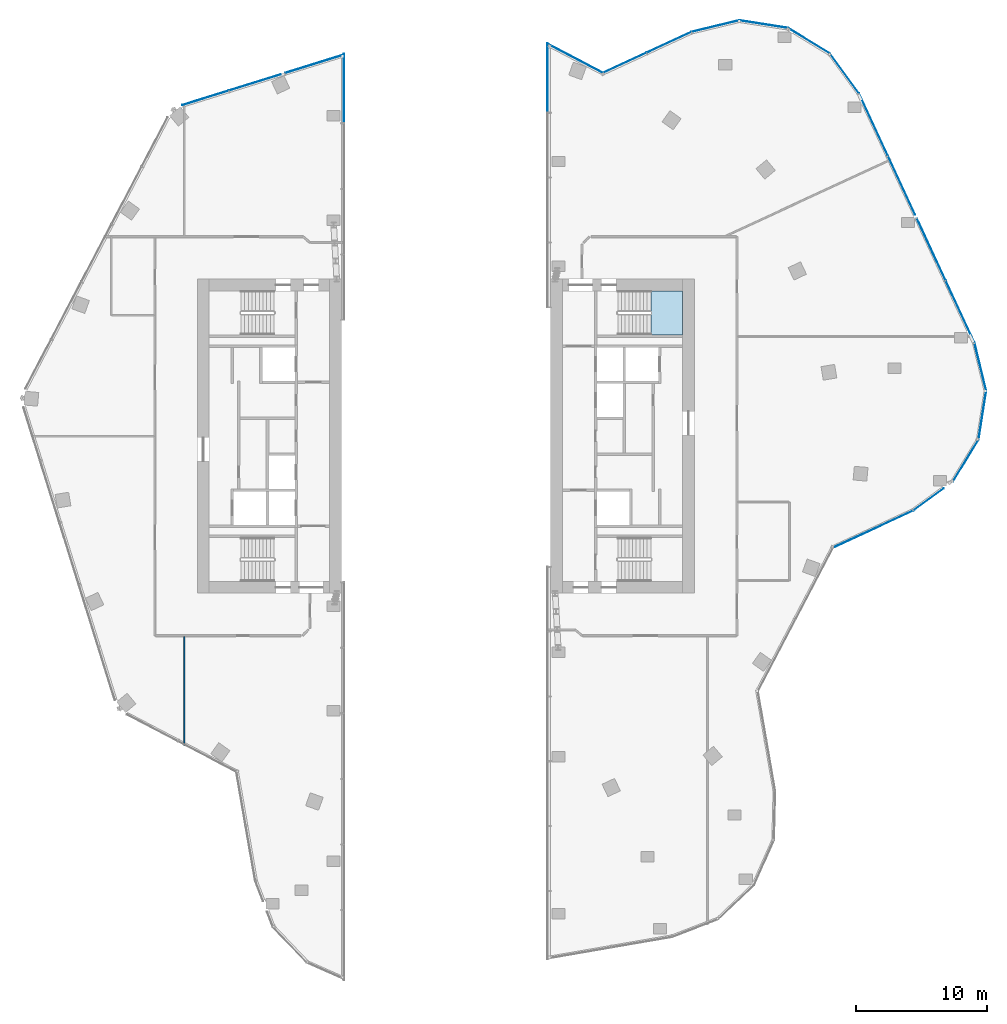
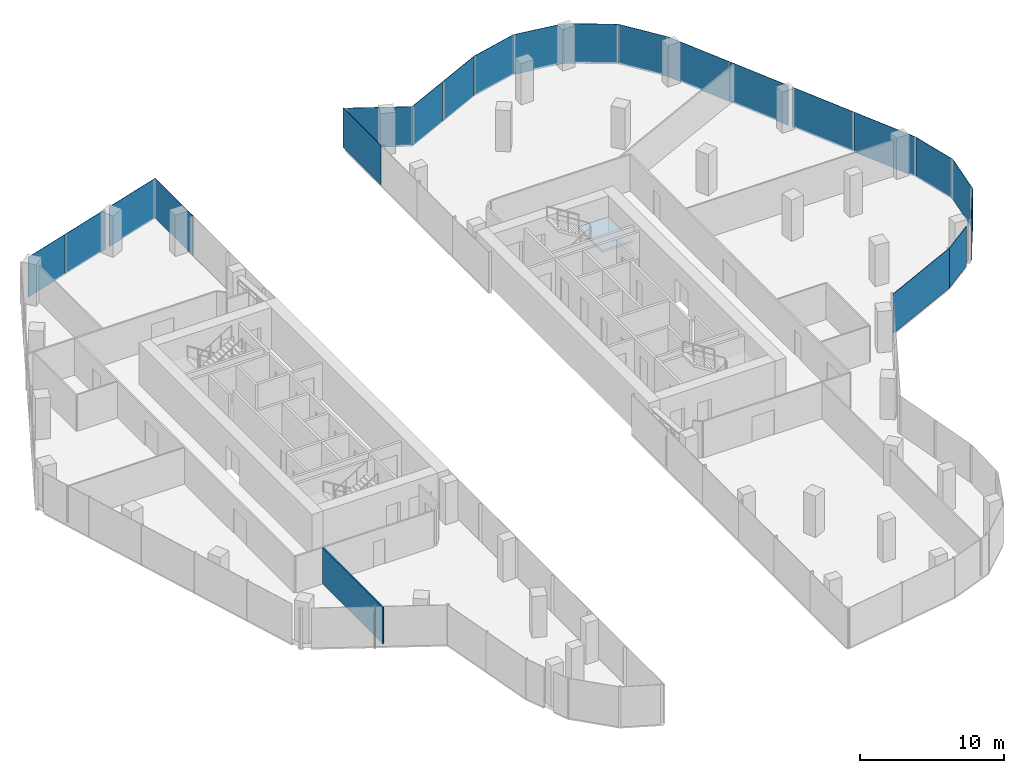
# One storey, part 17 of 23: 21 plates, 1 slab, 1 wall, 16 elements without a shape of their own.
"""IFC4 building model written with IfcOpenShell, lengths in metres."""

from ifc_helpers import new_model, si_unit, direction, frame, frame_2d, origin, origin_2d, place, context, subcontext, project, spatial, polyline, rectangle, outline, extrude, material, layer, layer_set, type_object, element, aggregate, save


model = new_model("IFC4")

# Units and contexts
model_context = context("Model", 3, precision=1e-05, world=origin(), true_north=direction((0.0, 1.0)))
body_context = subcontext(model_context, "Body", "Model", "MODEL_VIEW")
ifc_project = project(units=[si_unit("LENGTHUNIT", "METRE"), si_unit("AREAUNIT", "SQUARE_METRE"), si_unit("VOLUMEUNIT", "CUBIC_METRE"), si_unit("PLANEANGLEUNIT", "RADIAN"), si_unit("MASSUNIT", "GRAM", prefix="KILO")], contexts=[model_context])

# Site, building, storey
site_placement = place(None, origin())
site = spatial("IfcSite", under=ifc_project, at=site_placement, CompositionType="ELEMENT")
building_placement = place(site_placement, origin())
building = spatial("IfcBuilding", under=site, at=building_placement, Name="Orlundy Tower", CompositionType="ELEMENT")
storey_placement = place(building_placement, frame((0.0, 0.0, 257.0)))
storey = spatial("IfcBuildingStorey", under=building, at=storey_placement, Name="L68", CompositionType="ELEMENT", Elevation=257.0)

# Curtain wall, plates
ifc_material_1 = material(Name="Aluminium bronze anodised", Category="aluminium")
curtain_wall_type = type_object("IfcCurtainWallType", Name="CW1 wall", PredefinedType="NOTDEFINED", material=ifc_material_1)
curtain_wall_1_placement = place(storey_placement, origin())
curtain_wall_1 = element("IfcCurtainWall", 1, at=curtain_wall_1_placement, inside=storey, type_object=curtain_wall_type, Name="CW1 run 03", PredefinedType="NOTDEFINED")
ifc_material_2 = material(Name="Tinted glass", Category="glass")
ifc_layer_1 = layer(ifc_material_2, 0.031982421875)
ifc_layer_set_1 = layer_set([ifc_layer_1], Name="CW1 glass panel 32")
plate_type_1 = type_object("IfcPlateType", Name="CW1 glass panel 32", PredefinedType="CURTAIN_PANEL", material=ifc_layer_set_1)
plate_1_placement = place(storey_placement, frame((-18.385009765625, 25.860595703125, -0.280029296875), z_axis=(0.0, 0.0, 1.0), x_axis=(0.954586077066, 0.297935263894, 0.0)))
plate_1 = element("IfcPlate", 2, at=plate_1_placement, type_object=plate_type_1, Name="CW1 panel", PredefinedType="CURTAIN_PANEL", context=body_context, shape_type="SweptSolid", body=[
    extrude(rectangle(XDim=3.727294921875, YDim=0.031982421875, at=origin_2d()), origin(), (0.0, 0.0, 1.0), 3.3798828125),
])
plate_2_placement = place(storey_placement, frame((-14.598388671875, 27.042236328125, -0.280029296875), z_axis=(0.0, 0.0, 1.0), x_axis=(0.954586077066, 0.297935263894, 0.0)))
plate_2 = element("IfcPlate", 3, at=plate_2_placement, type_object=plate_type_1, Name="CW1 panel", PredefinedType="CURTAIN_PANEL", context=body_context, shape_type="SweptSolid", body=[
    extrude(rectangle(XDim=4.106201171875, YDim=0.031982421875, at=origin_2d()), origin(), (0.0, 0.0, 1.0), 3.3798828125),
])
plate_3_placement = place(storey_placement, frame((-10.0498046875, 28.4619140625, -0.280029296875), z_axis=(0.0, 0.0, 1.0), x_axis=(0.954586077066, 0.297935263894, 0.0)))
plate_3 = element("IfcPlate", 4, at=plate_3_placement, type_object=plate_type_1, Name="CW1 panel", PredefinedType="CURTAIN_PANEL", context=body_context, shape_type="SweptSolid", body=[
    extrude(rectangle(XDim=4.638427734375, YDim=0.031982421875, at=origin_2d()), origin(), (0.0, 0.0, 1.0), 3.3798828125),
])
aggregate(curtain_wall_1, [plate_1, plate_2, plate_3])

curtain_wall_2_placement = place(storey_placement, origin())
curtain_wall_2 = element("IfcCurtainWall", 5, at=curtain_wall_2_placement, inside=storey, type_object=curtain_wall_type, Name="CW1 run 10", PredefinedType="NOTDEFINED")
plate_4_placement = place(storey_placement, frame((13.65625, 28.538330078125, -0.280029296875), z_axis=(0.0, 0.0, 1.0), x_axis=(0.907535327513, 0.419975748486, 0.0)))
plate_4 = element("IfcPlate", 6, at=plate_4_placement, type_object=plate_type_1, Name="CW1 panel", PredefinedType="CURTAIN_PANEL", context=body_context, shape_type="SweptSolid", body=[
    extrude(rectangle(XDim=3.659912109375, YDim=0.031982421875, at=origin_2d()), origin(), (0.0, 0.0, 1.0), 3.3798828125),
])
plate_5_placement = place(storey_placement, frame((17.0556640625, 30.111328125, -0.280029296875), z_axis=(0.0, 0.0, 1.0), x_axis=(0.907535327513, 0.419975748486, 0.0)))
plate_5 = element("IfcPlate", 7, at=plate_5_placement, type_object=plate_type_1, Name="CW1 panel", PredefinedType="CURTAIN_PANEL", context=body_context, shape_type="SweptSolid", body=[
    extrude(rectangle(XDim=3.731689453125, YDim=0.031982421875, at=origin_2d()), origin(), (0.0, 0.0, 1.0), 3.3798828125),
])
aggregate(curtain_wall_2, [plate_4, plate_5])

# Curtain wall, plate
curtain_wall_3_placement = place(storey_placement, origin())
curtain_wall_3 = element("IfcCurtainWall", 8, at=curtain_wall_3_placement, inside=storey, type_object=curtain_wall_type, Name="CW1 run 11", PredefinedType="NOTDEFINED")
plate_6_placement = place(storey_placement, frame((20.609130859375, 31.349853515625, -0.280029296875), z_axis=(0.0, 0.0, 1.0), x_axis=(0.972001521614, 0.234974556025, 0.0)))
plate_6 = element("IfcPlate", 9, at=plate_6_placement, type_object=plate_type_1, Name="CW1 panel", PredefinedType="CURTAIN_PANEL", context=body_context, shape_type="SweptSolid", body=[
    extrude(rectangle(XDim=3.73046875, YDim=0.031982421875, at=origin_2d()), origin(), (0.0, 0.0, 1.0), 3.3798828125),
])
aggregate(curtain_wall_3, [plate_6])

curtain_wall_4_placement = place(storey_placement, origin())
curtain_wall_4 = element("IfcCurtainWall", 10, at=curtain_wall_4_placement, inside=storey, type_object=curtain_wall_type, Name="CW1 run 12", PredefinedType="NOTDEFINED")
plate_7_placement = place(storey_placement, frame((24.285400390625, 31.49560546875, -0.280029296875), z_axis=(0.0, 0.0, 1.0), x_axis=(0.987896030416, -0.15511748157, 0.0)))
plate_7 = element("IfcPlate", 11, at=plate_7_placement, type_object=plate_type_1, Name="CW1 panel", PredefinedType="CURTAIN_PANEL", context=body_context, shape_type="SweptSolid", body=[
    extrude(rectangle(XDim=3.772216796875, YDim=0.031982421875, at=origin_2d()), origin(), (0.0, 0.0, 1.0), 3.3798828125),
])
aggregate(curtain_wall_4, [plate_7])

curtain_wall_5_placement = place(storey_placement, origin())
curtain_wall_5 = element("IfcCurtainWall", 12, at=curtain_wall_5_placement, inside=storey, type_object=curtain_wall_type, Name="CW1 run 13", PredefinedType="NOTDEFINED")
plate_8_placement = place(storey_placement, frame((27.758544921875, 30.219970703125, -0.280029296875), z_axis=(0.0, 0.0, 1.0), x_axis=(0.853468477843, -0.521144468768, 0.0)))
plate_8 = element("IfcPlate", 13, at=plate_8_placement, type_object=plate_type_1, Name="CW1 panel", PredefinedType="CURTAIN_PANEL", context=body_context, shape_type="SweptSolid", body=[
    extrude(rectangle(XDim=3.7724609375, YDim=0.031982421875, at=origin_2d()), origin(), (0.0, 0.0, 1.0), 3.3798828125),
])
aggregate(curtain_wall_5, [plate_8])

curtain_wall_6_placement = place(storey_placement, origin())
curtain_wall_6 = element("IfcCurtainWall", 14, at=curtain_wall_6_placement, inside=storey, type_object=curtain_wall_type, Name="CW1 run 14", PredefinedType="NOTDEFINED")
plate_9_placement = place(storey_placement, frame((30.466796875, 27.7294921875, -0.280029296875), z_axis=(0.0, 0.0, 1.0), x_axis=(0.588893262489, -0.80821081742, 0.0)))
plate_9 = element("IfcPlate", 15, at=plate_9_placement, type_object=plate_type_1, Name="CW1 panel", PredefinedType="CURTAIN_PANEL", context=body_context, shape_type="SweptSolid", body=[
    extrude(rectangle(XDim=3.730712890625, YDim=0.031982421875, at=origin_2d()), origin(), (0.0, 0.0, 1.0), 3.3798828125),
])
aggregate(curtain_wall_6, [plate_9])

# Curtain wall, plates
curtain_wall_7_placement = place(storey_placement, origin())
curtain_wall_7 = element("IfcCurtainWall", 16, at=curtain_wall_7_placement, inside=storey, type_object=curtain_wall_type, Name="CW1 run 15", PredefinedType="NOTDEFINED")
plate_10_placement = place(storey_placement, frame((32.685791015625, 23.81201171875, -0.280029296875), z_axis=(0.0, 0.0, 1.0), x_axis=(0.419960892154, -0.907542202358, 0.0)))
plate_10 = element("IfcPlate", 17, at=plate_10_placement, type_object=plate_type_1, Name="CW1 panel", PredefinedType="CURTAIN_PANEL", context=body_context, shape_type="SweptSolid", body=[
    extrude(rectangle(XDim=5.2158203125, YDim=0.031982421875, at=origin_2d()), origin(), (0.0, 0.0, 1.0), 3.3798828125),
])
plate_11_placement = place(storey_placement, frame((34.834716796875, 19.16845703125, -0.280029296875), z_axis=(0.0, 0.0, 1.0), x_axis=(0.419960892154, -0.907542202358, 0.0)))
plate_11 = element("IfcPlate", 18, at=plate_11_placement, type_object=plate_type_1, Name="CW1 panel", PredefinedType="CURTAIN_PANEL", context=body_context, shape_type="SweptSolid", body=[
    extrude(rectangle(XDim=4.917236328125, YDim=0.031982421875, at=origin_2d()), origin(), (0.0, 0.0, 1.0), 3.3798828125),
])
plate_12_placement = place(storey_placement, frame((37.0986328125, 14.275634765625, -0.280029296875), z_axis=(0.0, 0.0, 1.0), x_axis=(0.419960892154, -0.907542202358, 0.0)))
plate_12 = element("IfcPlate", 19, at=plate_12_placement, type_object=plate_type_1, Name="CW1 panel", PredefinedType="CURTAIN_PANEL", context=body_context, shape_type="SweptSolid", body=[
    extrude(rectangle(XDim=5.199951171875, YDim=0.031982421875, at=origin_2d()), origin(), (0.0, 0.0, 1.0), 3.3798828125),
])
plate_13_placement = place(storey_placement, frame((39.306884765625, 9.50390625, -0.280029296875), z_axis=(0.0, 0.0, 1.0), x_axis=(0.419960892154, -0.907542202358, 0.0)))
plate_13 = element("IfcPlate", 20, at=plate_13_placement, type_object=plate_type_1, Name="CW1 panel", PredefinedType="CURTAIN_PANEL", context=body_context, shape_type="SweptSolid", body=[
    extrude(rectangle(XDim=5.2158203125, YDim=0.031982421875, at=origin_2d()), origin(), (0.0, 0.0, 1.0), 3.3798828125),
])
aggregate(curtain_wall_7, [plate_10, plate_11, plate_12, plate_13])

# Curtain wall, plate
curtain_wall_8_placement = place(storey_placement, origin())
curtain_wall_8 = element("IfcCurtainWall", 21, at=curtain_wall_8_placement, inside=storey, type_object=curtain_wall_type, Name="CW1 run 16", PredefinedType="NOTDEFINED")
plate_14_placement = place(storey_placement, frame((40.856689453125, 5.27685546875, -0.280029296875), z_axis=(0.0, 0.0, 1.0), x_axis=(0.234974556025, -0.972001521614, 0.0)))
plate_14 = element("IfcPlate", 22, at=plate_14_placement, type_object=plate_type_1, Name="CW1 panel", PredefinedType="CURTAIN_PANEL", context=body_context, shape_type="SweptSolid", body=[
    extrude(rectangle(XDim=3.73046875, YDim=0.031982421875, at=origin_2d()), origin(), (0.0, 0.0, 1.0), 3.3798828125),
])
aggregate(curtain_wall_8, [plate_14])

curtain_wall_9_placement = place(storey_placement, origin())
curtain_wall_9 = element("IfcCurtainWall", 23, at=curtain_wall_9_placement, inside=storey, type_object=curtain_wall_type, Name="CW1 run 17", PredefinedType="NOTDEFINED")
plate_15_placement = place(storey_placement, frame((41.00244140625, 1.6005859375, -0.280029296875), z_axis=(0.0, 0.0, 1.0), x_axis=(-0.15511748157, -0.987896030416, 0.0)))
plate_15 = element("IfcPlate", 24, at=plate_15_placement, type_object=plate_type_1, Name="CW1 panel", PredefinedType="CURTAIN_PANEL", context=body_context, shape_type="SweptSolid", body=[
    extrude(rectangle(XDim=3.772216796875, YDim=0.031982421875, at=origin_2d()), origin(), (0.0, 0.0, 1.0), 3.3798828125),
])
aggregate(curtain_wall_9, [plate_15])

curtain_wall_10_placement = place(storey_placement, origin())
curtain_wall_10 = element("IfcCurtainWall", 25, at=curtain_wall_10_placement, inside=storey, type_object=curtain_wall_type, Name="CW1 run 18", PredefinedType="NOTDEFINED")
plate_16_placement = place(storey_placement, frame((39.72705078125, -1.8720703125, -0.280029296875), z_axis=(0.0, 0.0, 1.0), x_axis=(-0.521264467859, -0.85339519248, 0.0)))
plate_16 = element("IfcPlate", 26, at=plate_16_placement, type_object=plate_type_1, Name="CW1 panel", PredefinedType="CURTAIN_PANEL", context=body_context, shape_type="SweptSolid", body=[
    extrude(rectangle(XDim=3.771484375, YDim=0.031982421875, at=origin_2d()), origin(), (0.0, 0.0, 1.0), 3.3798828125),
])
aggregate(curtain_wall_10, [plate_16])

curtain_wall_11_placement = place(storey_placement, origin())
curtain_wall_11 = element("IfcCurtainWall", 27, at=curtain_wall_11_placement, inside=storey, type_object=curtain_wall_type, Name="CW1 run 19", PredefinedType="NOTDEFINED")
plate_17_placement = place(storey_placement, frame((36.887939453125, -4.834228515625, -0.280029296875), z_axis=(0.0, 0.0, 1.0), x_axis=(-0.808117234179, -0.58902167687, 0.0)))
plate_17 = element("IfcPlate", 28, at=plate_17_placement, type_object=plate_type_1, Name="CW1 panel", PredefinedType="CURTAIN_PANEL", context=body_context, shape_type="SweptSolid", body=[
    extrude(rectangle(XDim=2.8662109375, YDim=0.031982421875, at=origin_2d()), origin(), (0.0, 0.0, 1.0), 3.3798828125),
])
aggregate(curtain_wall_11, [plate_17])

curtain_wall_12_placement = place(storey_placement, origin())
curtain_wall_12 = element("IfcCurtainWall", 29, at=curtain_wall_12_placement, inside=storey, type_object=curtain_wall_type, Name="CW1 run 110", PredefinedType="NOTDEFINED")
plate_18_placement = place(storey_placement, frame((32.637451171875, -7.114501953125, -0.280029296875), z_axis=(0.0, 0.0, 1.0), x_axis=(-0.907549103061, -0.419945979305, 0.0)))
plate_18 = element("IfcPlate", 30, at=plate_18_placement, type_object=plate_type_1, Name="CW1 panel", PredefinedType="CURTAIN_PANEL", context=body_context, shape_type="SweptSolid", body=[
    extrude(rectangle(XDim=6.719482421875, YDim=0.031982421875, at=origin_2d()), origin(), (0.0, 0.0, 1.0), 3.3798828125),
])
aggregate(curtain_wall_12, [plate_18])

curtain_wall_13_placement = place(storey_placement, origin())
curtain_wall_13 = element("IfcCurtainWall", 31, at=curtain_wall_13_placement, inside=storey, type_object=curtain_wall_type, Name="CW1 run 119", PredefinedType="NOTDEFINED")
plate_19_placement = place(storey_placement, frame((9.915771484375, 28.85986328125, -0.280029296875), z_axis=(0.0, 0.0, 1.0), x_axis=(0.885696843305, -0.464264043147, 0.0)))
plate_19 = element("IfcPlate", 32, at=plate_19_placement, type_object=plate_type_1, Name="CW1 panel", PredefinedType="CURTAIN_PANEL", context=body_context, shape_type="SweptSolid", body=[
    extrude(rectangle(XDim=4.6962890625, YDim=0.031982421875, at=origin_2d()), origin(), (0.0, 0.0, 1.0), 3.3798828125),
])
aggregate(curtain_wall_13, [plate_19])

curtain_wall_14_placement = place(storey_placement, origin())
curtain_wall_14 = element("IfcCurtainWall", 33, at=curtain_wall_14_placement, inside=storey, type_object=curtain_wall_type, Name="CW1 run 04", PredefinedType="NOTDEFINED")
ifc_material_3 = material(Name="Tinted glass", Category="glass")
ifc_layer_2 = layer(ifc_material_3, 0.035888671875)
ifc_layer_set_2 = layer_set([ifc_layer_2], Name="CW6 glass panel 36")
plate_type_2 = type_object("IfcPlateType", Name="CW6 glass panel 36", PredefinedType="CURTAIN_PANEL", material=ifc_layer_set_2)
plate_20_placement = place(storey_placement, frame((-7.778076171875, 26.575439453125, -0.240234375), z_axis=(0.0, 0.0, 1.0), x_axis=(0.0, -1.0, 0.0)))
plate_20 = element("IfcPlate", 34, at=plate_20_placement, type_object=plate_type_2, Name="CW6 panel", PredefinedType="CURTAIN_PANEL", context=body_context, shape_type="SweptSolid", body=[
    extrude(rectangle(XDim=5.312744140625, YDim=0.035888671875, at=origin_2d()), origin(), (0.0, 0.0, 1.0), 3.340087890625),
])
aggregate(curtain_wall_14, [plate_20])

curtain_wall_15_placement = place(storey_placement, origin())
curtain_wall_15 = element("IfcCurtainWall", 35, at=curtain_wall_15_placement, inside=storey, type_object=curtain_wall_type, Name="CW1 run 118", PredefinedType="NOTDEFINED")
plate_21_placement = place(storey_placement, frame((7.778076171875, 27.384033203125, -0.240234375), z_axis=(0.0, 0.0, 1.0), x_axis=(0.0, 1.0, 0.0)))
plate_21 = element("IfcPlate", 36, at=plate_21_placement, type_object=plate_type_2, Name="CW6 panel", PredefinedType="CURTAIN_PANEL", context=body_context, shape_type="SweptSolid", body=[
    extrude(rectangle(XDim=5.323974609375, YDim=0.035888671875, at=origin_2d()), origin(), (0.0, 0.0, 1.0), 3.340087890625),
])
aggregate(curtain_wall_15, [plate_21])

# Stair, slab
ifc_material_4 = material(Name="Concrete C50/60", Category="concrete")
stair_type = type_object("IfcStairType", Name="Exit Stair 20 risers", PredefinedType="HALF_TURN_STAIR", material=ifc_material_4)
stair_placement = place(storey_placement, origin())
stair = element("IfcStair", 37, at=stair_placement, inside=storey, type_object=stair_type, Name="L68 Exit Stair ST-E2", PredefinedType="HALF_TURN_STAIR")
ifc_material_5 = material(Name="Concrete C50/60", Category="concrete")
ifc_layer_3 = layer(ifc_material_5, 0.199951171875)
ifc_layer_set_3 = layer_set([ifc_layer_3], Name="Exit Stair Landing")
slab_type = type_object("IfcSlabType", Name="Exit Stair Landing", PredefinedType="LANDING", material=ifc_layer_set_3)
slab_placement = place(storey_placement, frame((0.0, 0.0, 1.550048828125)))
slab = element("IfcSlab", 38, at=slab_placement, type_object=slab_type, Name="ST-E2 landing 1", PredefinedType="LANDING", context=body_context, shape_type="SweptSolid", body=[
    extrude(outline(polyline([(15.659912109375, 7.75), (18.10009765625, 7.75), (18.10009765625, 11.10009765625), (15.659912109375, 11.10009765625), (15.659912109375, 7.75)])), origin(), (0.0, 0.0, 1.0), 0.199951171875),
])
aggregate(stair, [slab])

# Wall
ifc_material_6 = material(Name="Gypsum board partition")
ifc_layer_4 = layer(ifc_material_6, 0.10009765625)
ifc_layer_set_4 = layer_set([ifc_layer_4], Name="Floor partition 100")
wall_type = type_object("IfcWallType", Name="Floor partition 100", PredefinedType="PARTITIONING", material=ifc_layer_set_4)
wall_placement = place(storey_placement, frame((-20.0, -23.6689453125, 0.0), z_axis=(0.0, 0.0, 1.0), x_axis=(0.0, 1.0, 0.0)))
element("IfcWall", 39, at=wall_placement, inside=storey, type_object=wall_type, Name="wall-int-L68-022", PredefinedType="PARTITIONING", context=body_context, shape_type="SweptSolid", body=[
    extrude(rectangle(XDim=8.35693359375, YDim=0.10009765625, at=frame_2d((4.178466796875, 0.0))), origin(), (0.0, 0.0, 1.0), 3.080078125),
])

save(model, "model.ifc")
